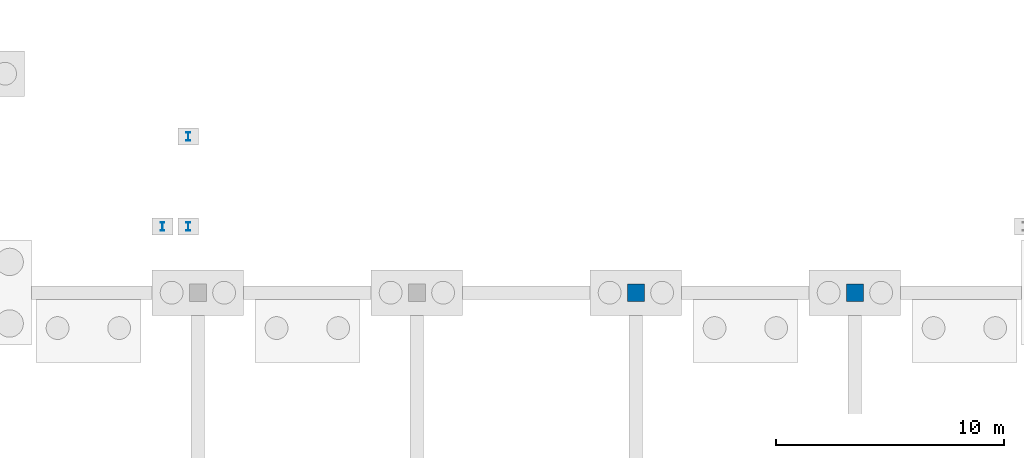
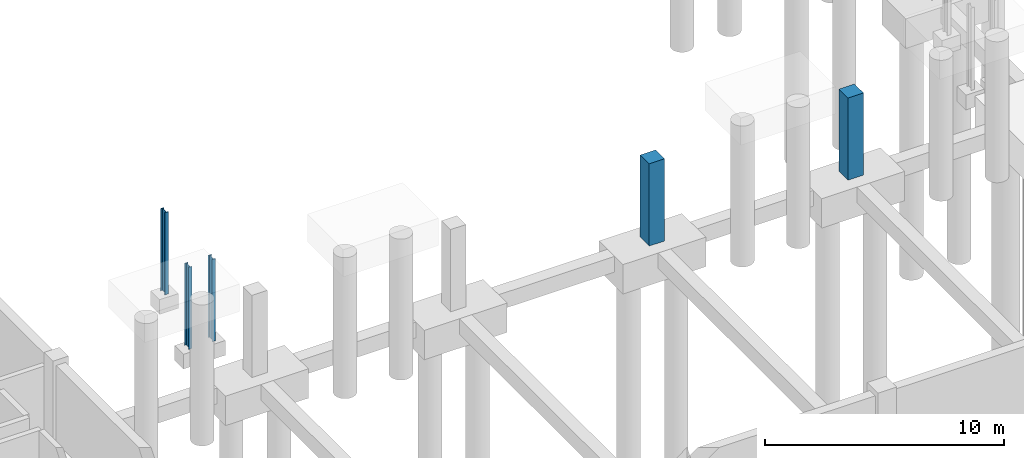
# One storey, part 33 of 54: 5 columns.
"""IFC4 building model written with IfcOpenShell, lengths in metres."""

from ifc_helpers import new_model, si_unit, direction, frame, origin, origin_2d, place, context, subcontext, project, spatial, rectangle, i_section, extrude, material, material_profile, profile_set, type_object, element, save


model = new_model("IFC4")

# Units and contexts
model_context = context("Model", 3, precision=1e-05, world=origin(), true_north=direction((0.0, 1.0)))
body_context = subcontext(model_context, "Body", "Model", "MODEL_VIEW")
ifc_project = project(units=[si_unit("LENGTHUNIT", "METRE"), si_unit("AREAUNIT", "SQUARE_METRE"), si_unit("VOLUMEUNIT", "CUBIC_METRE"), si_unit("PLANEANGLEUNIT", "RADIAN"), si_unit("MASSUNIT", "GRAM", prefix="KILO")], contexts=[model_context])

# Site, building, storey
site_placement = place(None, origin())
site = spatial("IfcSite", under=ifc_project, at=site_placement, CompositionType="ELEMENT")
building_placement = place(site_placement, origin())
building = spatial("IfcBuilding", under=site, at=building_placement, Name="Zevrakil Square Congress Hotel", CompositionType="ELEMENT")
storey_placement = place(building_placement, frame((0.0, 0.0, -8.39990234375)))
storey = spatial("IfcBuildingStorey", under=building, at=storey_placement, Name="B2", CompositionType="ELEMENT", Elevation=-8.39990234375)

# Columns
ifc_material_1 = material(Name="Steel S355", Category="steel")
ifc_material_profile_1 = material_profile(ifc_material_1, i_section(OverallWidth=0.169921875, OverallDepth=0.360107421875, WebThickness=0.008056640625, FlangeThickness=0.0126953125, FilletRadius=0.01806640625, at=origin_2d()), Name="IPE 360")
ifc_profile_set_1 = profile_set([ifc_material_profile_1], Name="Steel S355")
column_type_1 = type_object("IfcColumnType", Name="COL-PILASTER-SHS180", PredefinedType="PILASTER", material=ifc_profile_set_1)
for number, where, z_axis, x_axis, name in (
    (1, (125.64990234375, 67.699951171875, 0.0), (0.0, 0.0, 1.0), (1.0, 0.0, 0.0), "B2 ST08 stair shaft post 1"),
    (2, (126.780029296875, 67.699951171875, 0.0), (0.0, 0.0, 1.0), (1.0, 0.0, 0.0), "B2 ST08 stair shaft post 2"),
    (3, (126.780029296875, 71.64990234375, 0.0), (0.0, 0.0, 1.0), (1.0, 0.0, 0.0), "B2 ST08 stair shaft post 3"),
):
    element("IfcColumn", number, at=place(storey_placement, frame(where, z_axis=z_axis, x_axis=x_axis)), inside=storey, type_object=column_type_1, Name=name, PredefinedType="PILASTER", context=body_context, shape_type="SweptSolid", body=[
        extrude(i_section(OverallWidth=0.169921875, OverallDepth=0.360107421875, WebThickness=0.008056640625, FlangeThickness=0.0126953125, FilletRadius=0.01806640625, at=origin_2d()), origin(), (0.0, 0.0, 1.0), 4.199951171875),
    ])
ifc_material_2 = material(Name="Concrete C40/50", Category="concrete")
ifc_material_profile_2 = material_profile(ifc_material_2, rectangle(XDim=0.75, YDim=0.75, at=origin_2d()), Name="RC 750x750")
ifc_profile_set_2 = profile_set([ifc_material_profile_2], Name="Concrete C40/50")
column_type_2 = type_object("IfcColumnType", Name="COL-RC750", PredefinedType="COLUMN", material=ifc_profile_set_2)
for number, where, z_axis, x_axis, name in (
    (4, (146.39990234375, 64.800048828125, 0.0), (0.0, 0.0, 1.0), (1.0, 0.0, 0.0), "B2 column C-217"),
    (5, (156.0, 64.800048828125, 0.0), (0.0, 0.0, 1.0), (1.0, 0.0, 0.0), "B2 column C-226"),
):
    element("IfcColumn", number, at=place(storey_placement, frame(where, z_axis=z_axis, x_axis=x_axis)), inside=storey, type_object=column_type_2, Name=name, PredefinedType="COLUMN", context=body_context, shape_type="SweptSolid", body=[
        extrude(rectangle(XDim=0.75, YDim=0.75, at=origin_2d()), origin(), (0.0, 0.0, 1.0), 4.199951171875),
    ])

save(model, "model.ifc")
